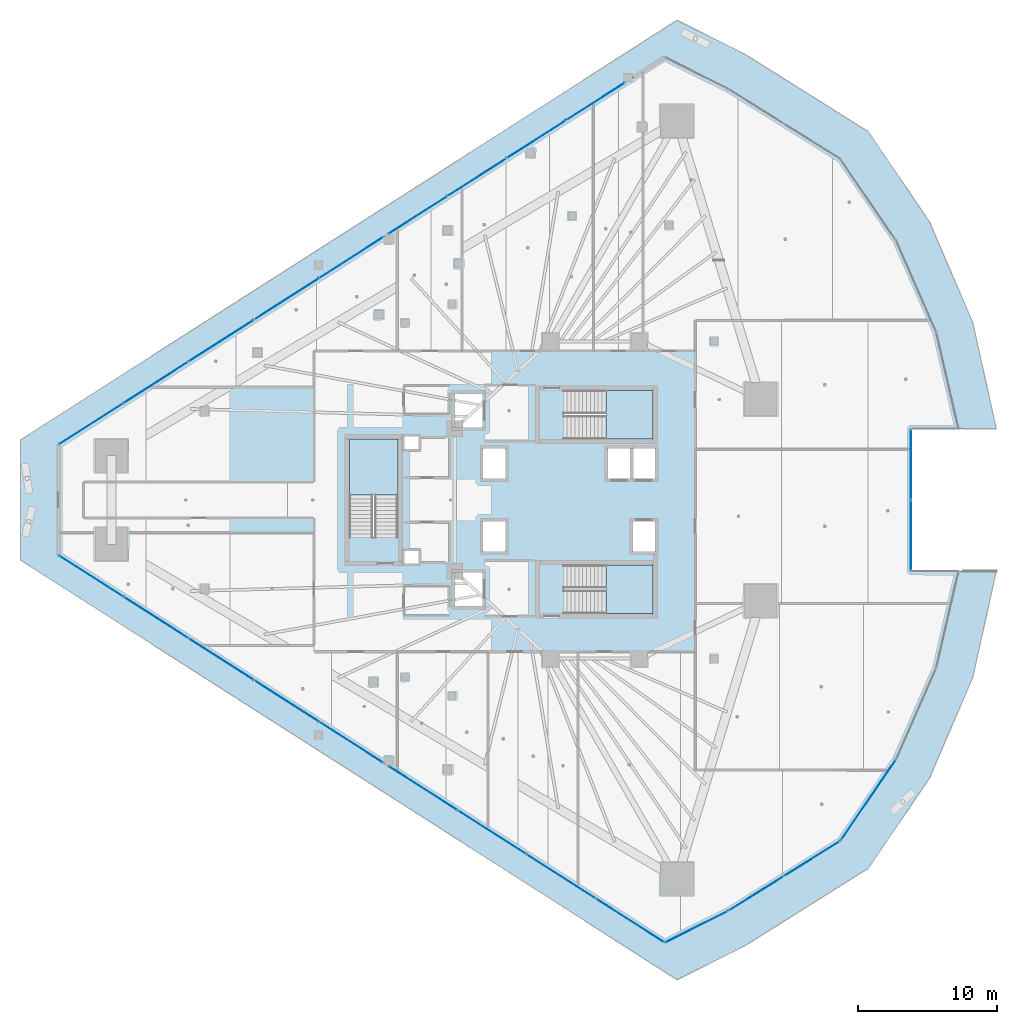
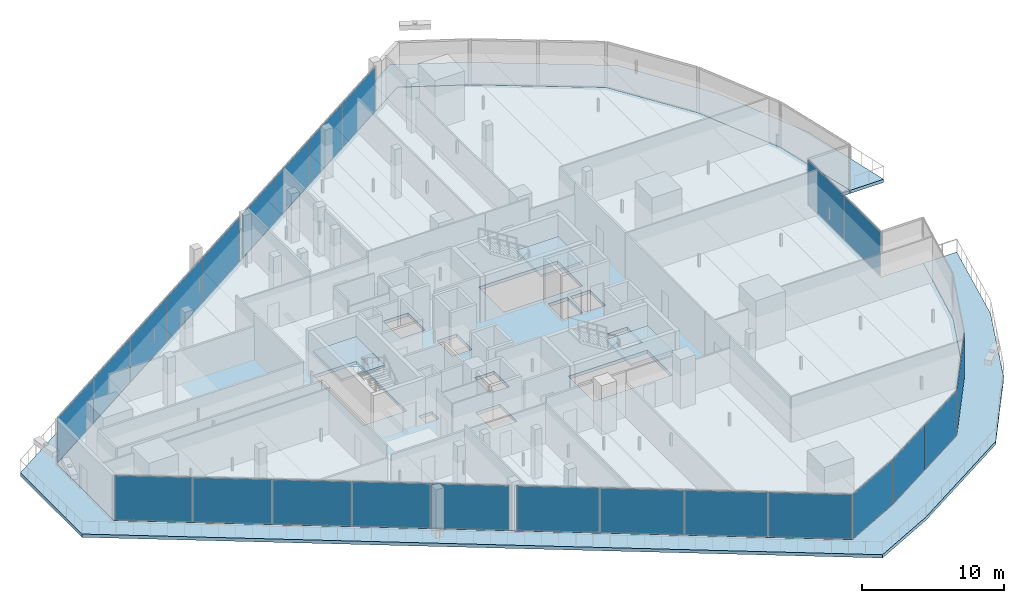
# One storey, part 28 of 46: 24 plates, 5 slabs, 11 elements without a shape of their own.
"""IFC4 building model written with IfcOpenShell, lengths in metres."""

from ifc_helpers import new_model, si_unit, direction, frame, origin, origin_2d, place, context, subcontext, project, spatial, polyline, rectangle, outline, extrude, material, layer, layer_set, type_object, element, aggregate, save


model = new_model("IFC4")

# Units and contexts
model_context = context("Model", 3, precision=1e-05, world=origin(), true_north=direction((0.0, 1.0)))
body_context = subcontext(model_context, "Body", "Model", "MODEL_VIEW")
ifc_project = project(units=[si_unit("LENGTHUNIT", "METRE"), si_unit("AREAUNIT", "SQUARE_METRE"), si_unit("VOLUMEUNIT", "CUBIC_METRE"), si_unit("PLANEANGLEUNIT", "RADIAN"), si_unit("MASSUNIT", "GRAM", prefix="KILO")], contexts=[model_context])

# Site, building, storey
site_placement = place(None, origin())
site = spatial("IfcSite", under=ifc_project, at=site_placement, CompositionType="ELEMENT")
building_placement = place(site_placement, origin())
building = spatial("IfcBuilding", under=site, at=building_placement, Name="Qorvath Tower", CompositionType="ELEMENT")
storey_placement = place(building_placement, frame((0.0, 0.0, 87.0)))
storey = spatial("IfcBuildingStorey", under=building, at=storey_placement, Name="L19", CompositionType="ELEMENT", Elevation=87.0)

# Curtain wall, plates
ifc_material_1 = material(Name="Anodised aluminium and triple low-E glass", Category="aluminium")
ifc_layer_1 = layer(ifc_material_1, 0.179931640625)
ifc_layer_set_1 = layer_set([ifc_layer_1], Name="CW-SYS-2")
curtain_wall_type = type_object("IfcCurtainWallType", Name="CW-SYS-2", PredefinedType="NOTDEFINED", material=ifc_layer_set_1)
curtain_wall_1_placement = place(storey_placement, origin())
curtain_wall_1 = element("IfcCurtainWall", 1, at=curtain_wall_1_placement, inside=storey, type_object=curtain_wall_type, Name="Curtain Wall CW-2 CW-T-L19-2.1", PredefinedType="NOTDEFINED")
ifc_material_2 = material(Name="Low-E triple insulated glass", Category="glass")
ifc_layer_2 = layer(ifc_material_2, 0.031982421875)
ifc_layer_set_2 = layer_set([ifc_layer_2], Name="CWP-GLZ-32")
plate_type = type_object("IfcPlateType", Name="CWP-GLZ-32", PredefinedType="CURTAIN_PANEL", material=ifc_layer_set_2)
plate_1_placement = place(storey_placement, frame((-56.7333984375, -5.5029296875, 0.06494140625), z_axis=(0.0, 0.0, 1.0), x_axis=(0.842607894509, -0.538527563, 0.0)))
plate_1 = element("IfcPlate", 2, at=plate_1_placement, type_object=plate_type, Name="CW-2 panel 1.1", PredefinedType="CURTAIN_PANEL", context=body_context, shape_type="SweptSolid", body=[
    extrude(rectangle(XDim=5.473876953125, YDim=0.031982421875, at=origin_2d()), origin(), (0.0, 0.0, 1.0), 3.789794921875),
])
plate_2_placement = place(storey_placement, frame((-52.052734375, -8.49462890625, 0.06494140625), z_axis=(0.0, 0.0, 1.0), x_axis=(0.842607894509, -0.538527563, 0.0)))
plate_2 = element("IfcPlate", 3, at=plate_2_placement, type_object=plate_type, Name="CW-2 panel 2.1", PredefinedType="CURTAIN_PANEL", context=body_context, shape_type="SweptSolid", body=[
    extrude(rectangle(XDim=5.506591796875, YDim=0.031982421875, at=origin_2d()), origin(), (0.0, 0.0, 1.0), 3.789794921875),
])
plate_3_placement = place(storey_placement, frame((-47.358154296875, -11.4951171875, 0.06494140625), z_axis=(0.0, 0.0, 1.0), x_axis=(0.842607894509, -0.538527563, 0.0)))
plate_3 = element("IfcPlate", 4, at=plate_3_placement, type_object=plate_type, Name="CW-2 panel 3.1", PredefinedType="CURTAIN_PANEL", context=body_context, shape_type="SweptSolid", body=[
    extrude(rectangle(XDim=5.506591796875, YDim=0.031982421875, at=origin_2d()), origin(), (0.0, 0.0, 1.0), 3.789794921875),
])
plate_4_placement = place(storey_placement, frame((-42.66357421875, -14.49560546875, 0.06494140625), z_axis=(0.0, 0.0, 1.0), x_axis=(0.842607894509, -0.538527563, 0.0)))
plate_4 = element("IfcPlate", 5, at=plate_4_placement, type_object=plate_type, Name="CW-2 panel 4.1", PredefinedType="CURTAIN_PANEL", context=body_context, shape_type="SweptSolid", body=[
    extrude(rectangle(XDim=5.506591796875, YDim=0.031982421875, at=origin_2d()), origin(), (0.0, 0.0, 1.0), 3.789794921875),
])
plate_5_placement = place(storey_placement, frame((-37.982666015625, -17.487060546875, 0.06494140625), z_axis=(0.0, 0.0, 1.0), x_axis=(0.842607894509, -0.538527563, 0.0)))
plate_5 = element("IfcPlate", 6, at=plate_5_placement, type_object=plate_type, Name="CW-2 panel 5.1", PredefinedType="CURTAIN_PANEL", context=body_context, shape_type="SweptSolid", body=[
    extrude(rectangle(XDim=5.473876953125, YDim=0.031982421875, at=origin_2d()), origin(), (0.0, 0.0, 1.0), 3.789794921875),
])
aggregate(curtain_wall_1, [plate_1, plate_2, plate_3, plate_4, plate_5])

curtain_wall_2_placement = place(storey_placement, origin())
curtain_wall_2 = element("IfcCurtainWall", 7, at=curtain_wall_2_placement, inside=storey, type_object=curtain_wall_type, Name="Curtain Wall CW-2 CW-T-L19-2.2", PredefinedType="NOTDEFINED")
plate_6_placement = place(storey_placement, frame((-32.7958984375, -20.80224609375, 0.06494140625), z_axis=(0.0, 0.0, 1.0), x_axis=(0.842604132188, -0.538533449676, 0.0)))
plate_6 = element("IfcPlate", 8, at=plate_6_placement, type_object=plate_type, Name="CW-2 panel 1.1", PredefinedType="CURTAIN_PANEL", context=body_context, shape_type="SweptSolid", body=[
    extrude(rectangle(XDim=5.8232421875, YDim=0.031982421875, at=origin_2d()), origin(), (0.0, 0.0, 1.0), 3.789794921875),
])
plate_7_placement = place(storey_placement, frame((-27.82080078125, -23.98193359375, 0.06494140625), z_axis=(0.0, 0.0, 1.0), x_axis=(0.842604132188, -0.538533449676, 0.0)))
plate_7 = element("IfcPlate", 9, at=plate_7_placement, type_object=plate_type, Name="CW-2 panel 2.1", PredefinedType="CURTAIN_PANEL", context=body_context, shape_type="SweptSolid", body=[
    extrude(rectangle(XDim=5.855712890625, YDim=0.031982421875, at=origin_2d()), origin(), (0.0, 0.0, 1.0), 3.789794921875),
])
plate_8_placement = place(storey_placement, frame((-22.83203125, -27.17041015625, 0.06494140625), z_axis=(0.0, 0.0, 1.0), x_axis=(0.842604132188, -0.538533449676, 0.0)))
plate_8 = element("IfcPlate", 10, at=plate_8_placement, type_object=plate_type, Name="CW-2 panel 3.1", PredefinedType="CURTAIN_PANEL", context=body_context, shape_type="SweptSolid", body=[
    extrude(rectangle(XDim=5.855712890625, YDim=0.031982421875, at=origin_2d()), origin(), (0.0, 0.0, 1.0), 3.789794921875),
])
plate_9_placement = place(storey_placement, frame((-17.85693359375, -30.35009765625, 0.06494140625), z_axis=(0.0, 0.0, 1.0), x_axis=(0.842604132188, -0.538533449676, 0.0)))
plate_9 = element("IfcPlate", 11, at=plate_9_placement, type_object=plate_type, Name="CW-2 panel 4.1", PredefinedType="CURTAIN_PANEL", context=body_context, shape_type="SweptSolid", body=[
    extrude(rectangle(XDim=5.8232421875, YDim=0.031982421875, at=origin_2d()), origin(), (0.0, 0.0, 1.0), 3.789794921875),
])
aggregate(curtain_wall_2, [plate_6, plate_7, plate_8, plate_9])

# Curtain wall, plate
curtain_wall_3_placement = place(storey_placement, origin())
curtain_wall_3 = element("IfcCurtainWall", 12, at=curtain_wall_3_placement, inside=storey, type_object=curtain_wall_type, Name="Curtain Wall CW-2 CW-T-L19-3.1", PredefinedType="NOTDEFINED")
plate_10_placement = place(storey_placement, frame((-13.066650390625, -30.81201171875, 0.06494140625), z_axis=(0.0, 0.0, 1.0), x_axis=(0.894438947507, 0.447190081713, 0.0)))
plate_10 = element("IfcPlate", 13, at=plate_10_placement, type_object=plate_type, Name="CW-2 panel 1.1", PredefinedType="CURTAIN_PANEL", context=body_context, shape_type="SweptSolid", body=[
    extrude(rectangle(XDim=4.973388671875, YDim=0.031982421875, at=origin_2d()), origin(), (0.0, 0.0, 1.0), 3.789794921875),
])
aggregate(curtain_wall_3, [plate_10])

# Curtain wall, plates
curtain_wall_4_placement = place(storey_placement, origin())
curtain_wall_4 = element("IfcCurtainWall", 14, at=curtain_wall_4_placement, inside=storey, type_object=curtain_wall_type, Name="Curtain Wall CW-2 CW-T-L19-4.1", PredefinedType="NOTDEFINED")
plate_11_placement = place(storey_placement, frame((-8.74169921875, -28.3955078125, 0.06494140625), z_axis=(0.0, 0.0, 1.0), x_axis=(0.848231937947, 0.529624942243, 0.0)))
plate_11 = element("IfcPlate", 15, at=plate_11_placement, type_object=plate_type, Name="CW-2 panel 1.1", PredefinedType="CURTAIN_PANEL", context=body_context, shape_type="SweptSolid", body=[
    extrude(rectangle(XDim=4.68603515625, YDim=0.031982421875, at=origin_2d()), origin(), (0.0, 0.0, 1.0), 3.789794921875),
])
plate_12_placement = place(storey_placement, frame((-4.711669921875, -25.87939453125, 0.06494140625), z_axis=(0.0, 0.0, 1.0), x_axis=(0.848231937947, 0.529624942243, 0.0)))
plate_12 = element("IfcPlate", 16, at=plate_12_placement, type_object=plate_type, Name="CW-2 panel 2.1", PredefinedType="CURTAIN_PANEL", context=body_context, shape_type="SweptSolid", body=[
    extrude(rectangle(XDim=4.68603515625, YDim=0.031982421875, at=origin_2d()), origin(), (0.0, 0.0, 1.0), 3.789794921875),
])
aggregate(curtain_wall_4, [plate_11, plate_12])

# Curtain wall, plate
curtain_wall_5_placement = place(storey_placement, origin())
curtain_wall_5 = element("IfcCurtainWall", 17, at=curtain_wall_5_placement, inside=storey, type_object=curtain_wall_type, Name="Curtain Wall CW-2 CW-T-L19-5.1", PredefinedType="NOTDEFINED")
plate_13_placement = place(storey_placement, frame((-0.648193359375, -21.645263671875, 0.06494140625), z_axis=(0.0, 0.0, 1.0), x_axis=(0.564035916259, 0.825750255931, 0.0)))
plate_13 = element("IfcPlate", 18, at=plate_13_placement, type_object=plate_type, Name="CW-2 panel 1.1", PredefinedType="CURTAIN_PANEL", context=body_context, shape_type="SweptSolid", body=[
    extrude(rectangle(XDim=7.0361328125, YDim=0.031982421875, at=origin_2d()), origin(), (0.0, 0.0, 1.0), 3.789794921875),
])
aggregate(curtain_wall_5, [plate_13])

# Curtain wall, plates
curtain_wall_6_placement = place(storey_placement, origin())
curtain_wall_6 = element("IfcCurtainWall", 19, at=curtain_wall_6_placement, inside=storey, type_object=curtain_wall_type, Name="Curtain Wall CW-2 CW-T-L19-9.1", PredefinedType="NOTDEFINED")
plate_14_placement = place(storey_placement, frame((2.43408203125, -2.55419921875, 0.06494140625), z_axis=(0.0, 0.0, 1.0), x_axis=(0.0, 1.0, 0.0)))
plate_14 = element("IfcPlate", 20, at=plate_14_placement, type_object=plate_type, Name="CW-2 panel 1.1", PredefinedType="CURTAIN_PANEL", context=body_context, shape_type="SweptSolid", body=[
    extrude(rectangle(XDim=5.04345703125, YDim=0.031982421875, at=origin_2d()), origin(), (0.0, 0.0, 1.0), 3.789794921875),
])
plate_15_placement = place(storey_placement, frame((2.43408203125, 2.55419921875, 0.06494140625), z_axis=(0.0, 0.0, 1.0), x_axis=(0.0, 1.0, 0.0)))
plate_15 = element("IfcPlate", 21, at=plate_15_placement, type_object=plate_type, Name="CW-2 panel 2.1", PredefinedType="CURTAIN_PANEL", context=body_context, shape_type="SweptSolid", body=[
    extrude(rectangle(XDim=5.04345703125, YDim=0.031982421875, at=origin_2d()), origin(), (0.0, 0.0, 1.0), 3.789794921875),
])
aggregate(curtain_wall_6, [plate_14, plate_15])

curtain_wall_7_placement = place(storey_placement, origin())
curtain_wall_7 = element("IfcCurtainWall", 22, at=curtain_wall_7_placement, inside=storey, type_object=curtain_wall_type, Name="Curtain Wall CW-2 CW-T-L19-16.2", PredefinedType="NOTDEFINED")
plate_16_placement = place(storey_placement, frame((-20.35302734375, 28.7548828125, 0.06494140625), z_axis=(0.0, 0.0, 1.0), x_axis=(-0.842605967918, -0.538530577432, 0.0)))
plate_16 = element("IfcPlate", 23, at=plate_16_placement, type_object=plate_type, Name="CW-2 panel 1.1", PredefinedType="CURTAIN_PANEL", context=body_context, shape_type="SweptSolid", body=[
    extrude(rectangle(XDim=4.976806640625, YDim=0.031982421875, at=origin_2d()), origin(), (0.0, 0.0, 1.0), 3.789794921875),
])
plate_17_placement = place(storey_placement, frame((-24.614990234375, 26.031005859375, 0.06494140625), z_axis=(0.0, 0.0, 1.0), x_axis=(-0.842605967918, -0.538530577432, 0.0)))
plate_17 = element("IfcPlate", 24, at=plate_17_placement, type_object=plate_type, Name="CW-2 panel 2.1", PredefinedType="CURTAIN_PANEL", context=body_context, shape_type="SweptSolid", body=[
    extrude(rectangle(XDim=5.00927734375, YDim=0.031982421875, at=origin_2d()), origin(), (0.0, 0.0, 1.0), 3.789794921875),
])
plate_18_placement = place(storey_placement, frame((-28.890625, 23.298095703125, 0.06494140625), z_axis=(0.0, 0.0, 1.0), x_axis=(-0.842605967918, -0.538530577432, 0.0)))
plate_18 = element("IfcPlate", 25, at=plate_18_placement, type_object=plate_type, Name="CW-2 panel 3.1", PredefinedType="CURTAIN_PANEL", context=body_context, shape_type="SweptSolid", body=[
    extrude(rectangle(XDim=5.00927734375, YDim=0.031982421875, at=origin_2d()), origin(), (0.0, 0.0, 1.0), 3.789794921875),
])
plate_19_placement = place(storey_placement, frame((-33.152587890625, 20.57421875, 0.06494140625), z_axis=(0.0, 0.0, 1.0), x_axis=(-0.842605967918, -0.538530577432, 0.0)))
plate_19 = element("IfcPlate", 26, at=plate_19_placement, type_object=plate_type, Name="CW-2 panel 4.1", PredefinedType="CURTAIN_PANEL", context=body_context, shape_type="SweptSolid", body=[
    extrude(rectangle(XDim=4.976806640625, YDim=0.031982421875, at=origin_2d()), origin(), (0.0, 0.0, 1.0), 3.789794921875),
])
aggregate(curtain_wall_7, [plate_16, plate_17, plate_18, plate_19])

curtain_wall_8_placement = place(storey_placement, origin())
curtain_wall_8 = element("IfcCurtainWall", 27, at=curtain_wall_8_placement, inside=storey, type_object=curtain_wall_type, Name="Curtain Wall CW-2 CW-T-L19-16.3", PredefinedType="NOTDEFINED")
plate_20_placement = place(storey_placement, frame((-37.982666015625, 17.487060546875, 0.06494140625), z_axis=(0.0, 0.0, 1.0), x_axis=(-0.842607894509, -0.538527563, 0.0)))
plate_20 = element("IfcPlate", 28, at=plate_20_placement, type_object=plate_type, Name="CW-2 panel 1.1", PredefinedType="CURTAIN_PANEL", context=body_context, shape_type="SweptSolid", body=[
    extrude(rectangle(XDim=5.473876953125, YDim=0.031982421875, at=origin_2d()), origin(), (0.0, 0.0, 1.0), 3.789794921875),
])
plate_21_placement = place(storey_placement, frame((-42.66357421875, 14.49560546875, 0.06494140625), z_axis=(0.0, 0.0, 1.0), x_axis=(-0.842607894509, -0.538527563, 0.0)))
plate_21 = element("IfcPlate", 29, at=plate_21_placement, type_object=plate_type, Name="CW-2 panel 2.1", PredefinedType="CURTAIN_PANEL", context=body_context, shape_type="SweptSolid", body=[
    extrude(rectangle(XDim=5.506591796875, YDim=0.031982421875, at=origin_2d()), origin(), (0.0, 0.0, 1.0), 3.789794921875),
])
plate_22_placement = place(storey_placement, frame((-47.358154296875, 11.4951171875, 0.06494140625), z_axis=(0.0, 0.0, 1.0), x_axis=(-0.842607894509, -0.538527563, 0.0)))
plate_22 = element("IfcPlate", 30, at=plate_22_placement, type_object=plate_type, Name="CW-2 panel 3.1", PredefinedType="CURTAIN_PANEL", context=body_context, shape_type="SweptSolid", body=[
    extrude(rectangle(XDim=5.506591796875, YDim=0.031982421875, at=origin_2d()), origin(), (0.0, 0.0, 1.0), 3.789794921875),
])
plate_23_placement = place(storey_placement, frame((-52.052734375, 8.49462890625, 0.06494140625), z_axis=(0.0, 0.0, 1.0), x_axis=(-0.842607894509, -0.538527563, 0.0)))
plate_23 = element("IfcPlate", 31, at=plate_23_placement, type_object=plate_type, Name="CW-2 panel 4.1", PredefinedType="CURTAIN_PANEL", context=body_context, shape_type="SweptSolid", body=[
    extrude(rectangle(XDim=5.506591796875, YDim=0.031982421875, at=origin_2d()), origin(), (0.0, 0.0, 1.0), 3.789794921875),
])
plate_24_placement = place(storey_placement, frame((-56.7333984375, 5.5029296875, 0.06494140625), z_axis=(0.0, 0.0, 1.0), x_axis=(-0.842607894509, -0.538527563, 0.0)))
plate_24 = element("IfcPlate", 32, at=plate_24_placement, type_object=plate_type, Name="CW-2 panel 5.1", PredefinedType="CURTAIN_PANEL", context=body_context, shape_type="SweptSolid", body=[
    extrude(rectangle(XDim=5.473876953125, YDim=0.031982421875, at=origin_2d()), origin(), (0.0, 0.0, 1.0), 3.789794921875),
])
aggregate(curtain_wall_8, [plate_20, plate_21, plate_22, plate_23, plate_24])

# Stair, slab
ifc_material_3 = material(Name="Concrete C50/60", Category="concrete")
stair_type = type_object("IfcStairType", Name="ST-H420", PredefinedType="HALF_TURN_STAIR", material=ifc_material_3)
stair_1_placement = place(storey_placement, origin())
stair_1 = element("IfcStair", 33, at=stair_1_placement, inside=storey, type_object=stair_type, Name="L19 Tower Exit Stair 1", PredefinedType="HALF_TURN_STAIR")
ifc_material_4 = material(Name="Concrete C50/60", Category="concrete")
ifc_layer_3 = layer(ifc_material_4, 0.199951171875)
ifc_layer_set_3 = layer_set([ifc_layer_3], Name="SL-LND-200")
slab_type_1 = type_object("IfcSlabType", Name="SL-LND-200", PredefinedType="LANDING", material=ifc_layer_set_3)
slab_1_placement = place(storey_placement, frame((0.0, 0.0, 1.89990234375)))
slab_1 = element("IfcSlab", 34, at=slab_1_placement, type_object=slab_type_1, Name="TS1 landing 1", PredefinedType="LANDING", context=body_context, shape_type="SweptSolid", body=[
    extrude(outline(polyline([(-19.590087890625, 4.39990234375), (-16.199951171875, 4.39990234375), (-16.199951171875, 7.909912109375), (-19.590087890625, 7.909912109375), (-19.590087890625, 4.39990234375)])), origin(), (0.0, 0.0, 1.0), 0.2001953125),
])
aggregate(stair_1, [slab_1])

stair_2_placement = place(storey_placement, origin())
stair_2 = element("IfcStair", 35, at=stair_2_placement, inside=storey, type_object=stair_type, Name="L19 Tower Exit Stair 2", PredefinedType="HALF_TURN_STAIR")
slab_2_placement = place(storey_placement, frame((0.0, 0.0, 1.89990234375)))
slab_2 = element("IfcSlab", 36, at=slab_2_placement, type_object=slab_type_1, Name="TS2 landing 1", PredefinedType="LANDING", context=body_context, shape_type="SweptSolid", body=[
    extrude(outline(polyline([(-19.590087890625, -8.199951171875), (-16.199951171875, -8.199951171875), (-16.199951171875, -4.68994140625), (-19.590087890625, -4.68994140625), (-19.590087890625, -8.199951171875)])), origin(), (0.0, 0.0, 1.0), 0.2001953125),
])
aggregate(stair_2, [slab_2])

stair_3_placement = place(storey_placement, origin())
stair_3 = element("IfcStair", 37, at=stair_3_placement, inside=storey, type_object=stair_type, Name="L19 Tower Exit Stair 3", PredefinedType="HALF_TURN_STAIR")
slab_3_placement = place(storey_placement, frame((0.0, 0.0, 1.89990234375)))
slab_3 = element("IfcSlab", 38, at=slab_3_placement, type_object=slab_type_1, Name="TS3 landing 1", PredefinedType="LANDING", context=body_context, shape_type="SweptSolid", body=[
    extrude(outline(polyline([(-34.60009765625, 0.360107421875), (-34.60009765625, 4.39990234375), (-38.110107421875, 4.39990234375), (-38.110107421875, 0.360107421875), (-34.60009765625, 0.360107421875)])), origin(), (0.0, 0.0, 1.0), 0.2001953125),
])
aggregate(stair_3, [slab_3])

# Slabs
ifc_material_5 = material(Name="Precast concrete C45/55", Category="concrete")
ifc_layer_4 = layer(ifc_material_5, 0.280029296875)
ifc_layer_set_4 = layer_set([ifc_layer_4], Name="SL-LOG-280")
slab_type_2 = type_object("IfcSlabType", Name="SL-LOG-280", PredefinedType="FLOOR", material=ifc_layer_set_4)
slab_4_placement = place(storey_placement, frame((0.0, 0.0, -0.280029296875)))
element("IfcSlab", 39, at=slab_4_placement, inside=storey, type_object=slab_type_2, Name="Tower L19 Perimeter Loggia and Terrace Slab", PredefinedType="FLOOR", context=body_context, shape_type="SweptSolid", body=[
    extrude(outline(polyline([(5.861328125, -5.140869140625), (4.24951171875, -12.123291015625), (1.372802734375, -18.6865234375), (-2.669189453125, -24.60400390625), (-10.7841796875, -29.6708984375), (-15.348876953125, -31.953125), (-59.094482421875, -3.994140625), (-59.094482421875, 3.994140625), (-15.348876953125, 31.953125), (-10.7841796875, 29.6708984375), (-2.669189453125, 24.60400390625), (1.372802734375, 18.6865234375), (4.24951171875, 12.123291015625), (5.861328125, 5.140869140625), (8.577392578125, 5.140869140625), (6.876220703125, 12.826904296875), (3.762939453125, 20.057373046875), (-0.652099609375, 26.5751953125), (-9.513671875, 32.1484375), (-14.45947265625, 34.621337890625), (-61.85791015625, 4.32763671875), (-61.85791015625, -4.32763671875), (-14.45947265625, -34.621337890625), (-9.513671875, -32.1484375), (-0.652099609375, -26.5751953125), (3.762939453125, -20.057373046875), (6.876220703125, -12.826904296875), (8.577392578125, -5.140869140625), (5.861328125, -5.140869140625)])), origin(), (0.0, 0.0, 1.0), 0.280029296875),
])
ifc_material_6 = material(Name="Concrete C45/55", Category="concrete")
ifc_layer_5 = layer(ifc_material_6, 0.280029296875)
ifc_layer_set_5 = layer_set([ifc_layer_5], Name="SL-TYP-280")
slab_type_3 = type_object("IfcSlabType", Name="SL-TYP-280", PredefinedType="FLOOR", material=ifc_layer_set_5)
slab_5_placement = place(storey_placement, frame((0.0, 0.0, -0.280029296875)))
element("IfcSlab", 40, at=slab_5_placement, inside=storey, type_object=slab_type_3, Name="Tower L19 Interior Floor Slab", PredefinedType="FLOOR", context=body_context, shape_type="SweptSolid", body=[
    extrude(outline(polyline([(-59.094482421875, 3.994140625), (-59.094482421875, -3.994140625), (-15.348876953125, -31.953125), (-10.7841796875, -29.6708984375), (-2.669189453125, -24.60400390625), (1.372802734375, -18.6865234375), (4.24951171875, -12.123291015625), (5.861328125, -5.140869140625), (2.43408203125, -5.140869140625), (2.43408203125, 5.140869140625), (5.861328125, 5.140869140625), (4.24951171875, 12.123291015625), (1.372802734375, 18.6865234375), (-2.669189453125, 24.60400390625), (-10.7841796875, 29.6708984375), (-15.348876953125, 31.953125), (-59.094482421875, 3.994140625)]), holes=[polyline([(-17.64990234375, -3.699951171875), (-17.64990234375, -1.550048828125), (-16.050048828125, -1.550048828125), (-16.050048828125, -3.699951171875), (-17.64990234375, -3.699951171875)]), polyline([(-17.64990234375, 1.550048828125), (-17.64990234375, 3.699951171875), (-16.050048828125, 3.699951171875), (-16.050048828125, 1.550048828125), (-17.64990234375, 1.550048828125)]), polyline([(-16.2451171875, -8.199951171875), (-22.625, -8.199951171875), (-22.625, -4.68994140625), (-16.2451171875, -4.68994140625), (-16.2451171875, -8.199951171875)]), polyline([(-22.625, 4.39990234375), (-22.625, 7.909912109375), (-16.2451171875, 7.909912109375), (-16.2451171875, 4.39990234375), (-22.625, 4.39990234375)]), polyline([(-17.85009765625, 1.550048828125), (-19.449951171875, 1.550048828125), (-19.449951171875, 3.699951171875), (-17.85009765625, 3.699951171875), (-17.85009765625, 1.550048828125)]), polyline([(-28.449951171875, -3.699951171875), (-28.449951171875, -1.550048828125), (-26.85009765625, -1.550048828125), (-26.85009765625, -3.699951171875), (-28.449951171875, -3.699951171875)]), polyline([(-26.85009765625, 1.550048828125), (-28.449951171875, 1.550048828125), (-28.449951171875, 3.699951171875), (-26.85009765625, 3.699951171875), (-26.85009765625, 1.550048828125)]), polyline([(-28.5, -7.64990234375), (-30.5, -7.64990234375), (-30.5, -5.25), (-28.5, -5.25), (-28.5, -7.64990234375)]), polyline([(-30.5, 5.25), (-30.5, 7.64990234375), (-28.5, 7.64990234375), (-28.5, 5.25), (-30.5, 5.25)]), polyline([(-34.14990234375, -4.6201171875), (-34.14990234375, -3.64990234375), (-33.10009765625, -3.64990234375), (-33.10009765625, -4.6201171875), (-34.14990234375, -4.6201171875)]), polyline([(-34.14990234375, 3.64990234375), (-34.14990234375, 4.6201171875), (-33.10009765625, 4.6201171875), (-33.10009765625, 3.64990234375), (-34.14990234375, 3.64990234375)]), polyline([(-34.60009765625, -2.675048828125), (-38.110107421875, -2.675048828125), (-38.110107421875, 4.35498046875), (-34.60009765625, 4.35498046875), (-34.60009765625, -2.675048828125)])]), origin(), (0.0, 0.0, 1.0), 0.280029296875),
])

save(model, "model.ifc")
